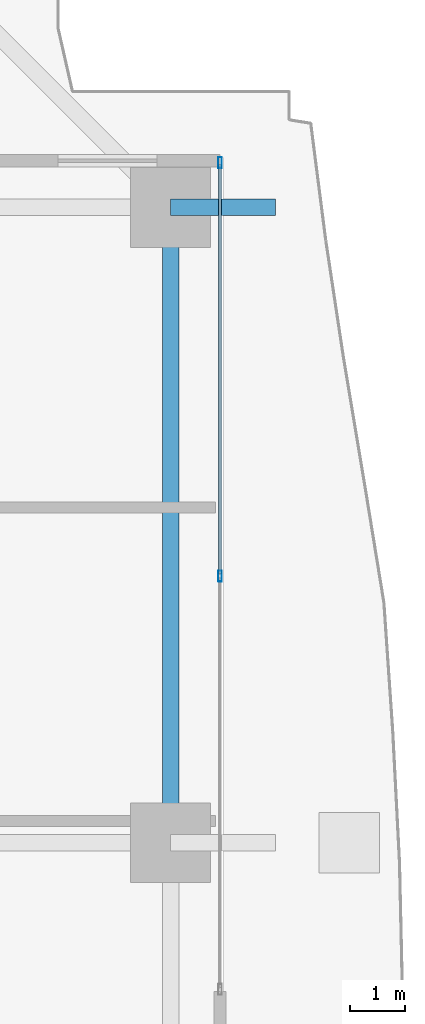
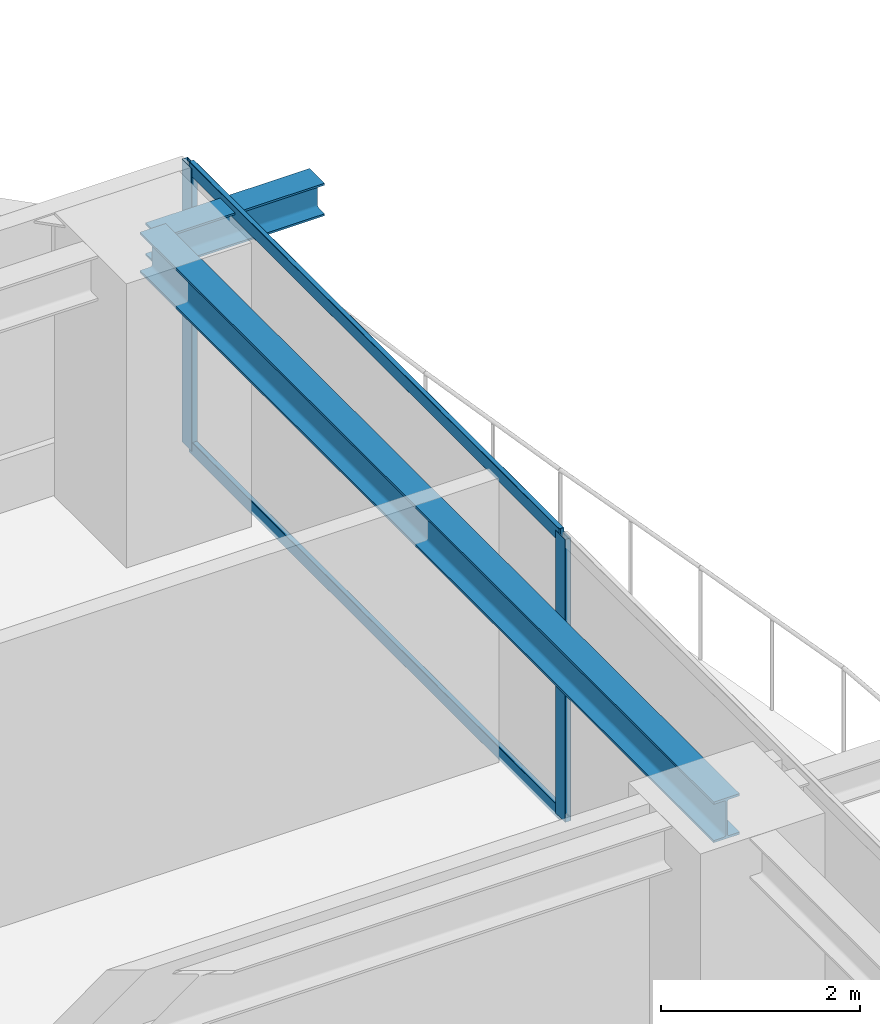
# One storey, part 23 of 38: 4 members, 2 beams, 1 element without a shape of its own.
"""IFC4 building model written with IfcOpenShell, lengths in metres."""

import ifcopenshell
import ifcopenshell.guid

model = None  # the IFC model being written
_history = None  # IfcOwnerHistory: only IFC2X3 demands one
_inside = {}  # id of a spatial element -> (the spatial element, [elements in it])
_under = {}  # id of a project, library or spatial element -> (it, [spatial elements below it])
_declared = {}  # id of a project -> (the project, [libraries it declares])
_typed = {}  # id of a type object -> (the type object, [elements of that type])
_made_of = {}  # id of a material, layer set ... -> (it, [elements and type objects made of it])


def new_model(schema):
    """Start an empty IFC model of exactly this schema.

    Asked for "IFC4X3", IfcOpenShell would pick the latest addendum, in which some entities
    have other attributes; the version numbers below select the first issue.
    IFC2X3 requires an IfcOwnerHistory on every rooted entity: one is made here for all.
    """
    global model, _history
    if schema == "IFC4X3":
        model = ifcopenshell.file(schema_version=(4, 3, 0, 0))
    else:
        model = ifcopenshell.file(schema=schema)
    _inside.clear()
    _under.clear()
    _declared.clear()
    _typed.clear()
    _made_of.clear()
    _history = None
    if model.schema == "IFC2X3":
        org = make("IfcOrganization", Name="unknown")
        user = make(
            "IfcPersonAndOrganization",
            ThePerson=make("IfcPerson", FamilyName="unknown"),
            TheOrganization=org,
        )
        app = make(
            "IfcApplication",
            ApplicationDeveloper=org,
            Version="unknown",
            ApplicationFullName="unknown",
            ApplicationIdentifier="unknown",
        )
        _history = make(
            "IfcOwnerHistory",
            OwningUser=user,
            OwningApplication=app,
            ChangeAction="ADDED",
            CreationDate=0,
        )
    return model


def make(cls, **values):
    """One entity of the class cls with the attributes given. An attribute that is None is left unset."""
    return model.create_entity(
        cls, **{name: value for name, value in values.items() if value is not None}
    )


def rooted(cls, **values):
    """An entity with a GlobalId (a new one), such as an element, a storey or a relation."""
    return make(cls, GlobalId=ifcopenshell.guid.new(), OwnerHistory=_history, **values)


def si_unit(unit_type, name, prefix=None):
    """IfcSIUnit, for example si_unit("LENGTHUNIT", "METRE", prefix="MILLI")."""
    return make("IfcSIUnit", UnitType=unit_type, Prefix=prefix, Name=name)


def assignment(units):
    """IfcUnitAssignment: the units of a project."""
    return None if units is None else make("IfcUnitAssignment", Units=units)


def point(xyz):
    """IfcCartesianPoint."""
    return None if xyz is None else make("IfcCartesianPoint", Coordinates=xyz)


def direction(xyz):
    """IfcDirection."""
    return None if xyz is None else make("IfcDirection", DirectionRatios=xyz)


def frame(location, z_axis=None, x_axis=None):
    """IfcAxis2Placement3D, a coordinate frame: its origin and axes. An axis left out is left unset."""
    return make(
        "IfcAxis2Placement3D",
        Location=point(location),
        Axis=direction(z_axis),
        RefDirection=direction(x_axis),
    )


def frame_2d(location, x_axis=None):
    """IfcAxis2Placement2D, a coordinate frame in the plane: its origin and x axis."""
    return make(
        "IfcAxis2Placement2D", Location=point(location), RefDirection=direction(x_axis)
    )


def origin():
    """The frame at (0, 0, 0) with its axes left unset."""
    return frame((0.0, 0.0, 0.0))


def origin_2d():
    """The frame at (0, 0) in the plane with its x axis left unset."""
    return frame_2d((0.0, 0.0))


def place(relative_to, where):
    """IfcLocalPlacement: puts the frame where relative to a parent placement (None: the world)."""
    return make(
        "IfcLocalPlacement", PlacementRelTo=relative_to, RelativePlacement=where
    )


def context(
    kind, dimensions, precision=None, world=None, true_north=None, identifier=None
):
    """IfcGeometricRepresentationContext, for example the 3D "Model" context."""
    return make(
        "IfcGeometricRepresentationContext",
        ContextIdentifier=identifier,
        ContextType=kind,
        CoordinateSpaceDimension=dimensions,
        Precision=precision,
        WorldCoordinateSystem=world,
        TrueNorth=true_north,
    )


def subcontext(parent, identifier, kind, view, scale=None):
    """IfcGeometricRepresentationSubContext, for example "Body" below "Model"."""
    return make(
        "IfcGeometricRepresentationSubContext",
        ContextIdentifier=identifier,
        ContextType=kind,
        ParentContext=parent,
        TargetScale=scale,
        TargetView=view,
    )


def project(units=None, contexts=None):
    """IfcProject with its units and contexts."""
    return rooted(
        "IfcProject",
        Name="project",
        RepresentationContexts=contexts,
        UnitsInContext=assignment(units),
    )


def spatial(cls, under=None, at=None, **own):
    """A site, building, storey or space (cls), placed at a placement, below another one or the project."""
    s = rooted(cls, ObjectPlacement=at, **own)
    if under is not None:
        _under.setdefault(under.id(), (under, []))[1].append(s)
    return s


def profile(cls, at=None, kind="AREA", **sizes):
    """A parametric profile (cls). Its sizes go by their IFC names, for example OverallWidth=200.0."""
    return make(cls, ProfileType=kind, Position=at, **sizes)


def hollow_rectangle(**sizes):
    """IfcRectangleHollowProfileDef."""
    return profile("IfcRectangleHollowProfileDef", **sizes)


def i_section(**sizes):
    """IfcIShapeProfileDef."""
    return profile("IfcIShapeProfileDef", **sizes)


def extrude(swept, where, along, depth):
    """IfcExtrudedAreaSolid: the profile swept, set in the frame where, extruded along a direction by depth."""
    return make(
        "IfcExtrudedAreaSolid",
        SweptArea=swept,
        Position=where,
        ExtrudedDirection=direction(along),
        Depth=depth,
    )


def shape(context_of_items, identifier, shape_type, items):
    """IfcShapeRepresentation: the items that make up one representation, for example the "Body"."""
    return make(
        "IfcShapeRepresentation",
        ContextOfItems=context_of_items,
        RepresentationIdentifier=identifier,
        RepresentationType=shape_type,
        Items=items,
    )


def source(mapping_origin, context_of_items, identifier, shape_type, items):
    """IfcRepresentationMap: a shape defined once, which mapped items show again and again."""
    return make(
        "IfcRepresentationMap",
        MappingOrigin=mapping_origin,
        MappedRepresentation=shape(context_of_items, identifier, shape_type, items),
    )


def transform(
    local_origin,
    x_axis=None,
    y_axis=None,
    z_axis=None,
    scale=None,
    scale2=None,
    scale3=None,
    uniform=True,
):
    """IfcCartesianTransformationOperator3D, or its non-uniform kind. x_axis, y_axis, z_axis: its Axis1, 2, 3."""
    if uniform:
        return make(
            "IfcCartesianTransformationOperator3D",
            Axis1=direction(x_axis),
            Axis2=direction(y_axis),
            LocalOrigin=point(local_origin),
            Scale=scale,
            Axis3=direction(z_axis),
        )
    return make(
        "IfcCartesianTransformationOperator3DnonUniform",
        Axis1=direction(x_axis),
        Axis2=direction(y_axis),
        LocalOrigin=point(local_origin),
        Scale=scale,
        Axis3=direction(z_axis),
        Scale2=scale2,
        Scale3=scale3,
    )


def mapped(mapping_source, mapping_target):
    """IfcMappedItem: shows the shape of a source again, moved by a transform."""
    return make(
        "IfcMappedItem", MappingSource=mapping_source, MappingTarget=mapping_target
    )


def material(Name=None, Category=None):
    """IfcMaterial."""
    return make("IfcMaterial", Name=Name, Category=Category)


def layer(
    of_material, thickness, ventilated=None, Name=None, Category=None, Priority=None
):
    """IfcMaterialLayer: one layer of a wall or slab, of a material (None: an air gap)."""
    return make(
        "IfcMaterialLayer",
        Material=of_material,
        LayerThickness=thickness,
        IsVentilated=ventilated,
        Name=Name,
        Category=Category,
        Priority=Priority,
    )


def layer_set(layers, Name=None):
    """IfcMaterialLayerSet."""
    return make("IfcMaterialLayerSet", MaterialLayers=layers, LayerSetName=Name)


def material_profile(
    of_material, cross_section, Name=None, Category=None, Priority=None
):
    """IfcMaterialProfile: a cross section and its material."""
    return make(
        "IfcMaterialProfile",
        Name=Name,
        Material=of_material,
        Profile=cross_section,
        Priority=Priority,
        Category=Category,
    )


def profile_set(profiles, Name=None, composite=None):
    """IfcMaterialProfileSet."""
    return make(
        "IfcMaterialProfileSet",
        Name=Name,
        MaterialProfiles=profiles,
        CompositeProfile=composite,
    )


def made_of(thing, what):
    """Note that an element or type object is made of a material, layer set ...; save() writes the relation."""
    if what is not None:
        _made_of.setdefault(what.id(), (what, []))[1].append(thing)
    return thing


def type_object(cls, material=None, **own):
    """A type object (cls), such as IfcWallType, which elements share."""
    return made_of(rooted(cls, **own), material)


def element(
    cls,
    number,
    at=None,
    inside=None,
    cuts=None,
    type_object=None,
    material=None,
    context=None,
    identifier="Body",
    shape_type=None,
    held_by="IfcProductDefinitionShape",
    body=None,
    shapes=None,
    **own,
):
    """One element of the class cls, such as IfcWall. Its Tag is "e" and its number.

    at: its placement. inside: the storey or other place that contains it. cuts: it is an
    opening in that element (IfcRelVoidsElement). A single representation is given by context,
    identifier, shape_type and body (its items); several are given by shapes. held_by: the class
    of the entity that holds the representations. save() writes the other relations.
    """
    e = rooted(cls, Tag="e%d" % number, ObjectPlacement=at, **own)
    if body is not None:
        shapes = [shape(context, identifier, shape_type, body)]
    if shapes is not None:
        e.Representation = make(held_by, Representations=shapes)
    if inside is not None:
        _inside.setdefault(inside.id(), (inside, []))[1].append(e)
    if cuts is not None:
        rooted(
            "IfcRelVoidsElement", RelatingBuildingElement=cuts, RelatedOpeningElement=e
        )
    if type_object is not None:
        _typed.setdefault(type_object.id(), (type_object, []))[1].append(e)
    return made_of(e, material)


def aggregate(whole, parts):
    """IfcRelAggregates: a whole, such as a stair, and the parts it consists of."""
    return rooted("IfcRelAggregates", RelatingObject=whole, RelatedObjects=parts)


def save(model, path):
    """Write the relations noted so far, then the file.

    IfcRelAggregates (storeys below a building ...), IfcRelContainedInSpatialStructure (elements
    in a storey), IfcRelDefinesByType, IfcRelAssociatesMaterial and IfcRelDeclares: one each for
    every whole, place, type object, material and project.
    """
    for whole, parts in _under.values():
        aggregate(whole, parts)
    for where, things in _inside.values():
        rooted(
            "IfcRelContainedInSpatialStructure",
            RelatedElements=things,
            RelatingStructure=where,
        )
    for kind, things in _typed.values():
        rooted("IfcRelDefinesByType", RelatedObjects=things, RelatingType=kind)
    for what, things in _made_of.values():
        rooted("IfcRelAssociatesMaterial", RelatedObjects=things, RelatingMaterial=what)
    for by, libraries in _declared.values():
        rooted("IfcRelDeclares", RelatingContext=by, RelatedDefinitions=libraries)
    model.write(path)


model = new_model("IFC4")

# Units and contexts
model_context = context("Model", 3, precision=1e-05, world=origin(), true_north=direction((0.0, 1.0)))
body_context = subcontext(model_context, "Body", "Model", "MODEL_VIEW")
ifc_project = project(units=[si_unit("LENGTHUNIT", "METRE"), si_unit("AREAUNIT", "SQUARE_METRE"), si_unit("VOLUMEUNIT", "CUBIC_METRE"), si_unit("PLANEANGLEUNIT", "RADIAN"), si_unit("MASSUNIT", "GRAM", prefix="KILO")], contexts=[model_context])

# Site, building, storey
site_placement = place(None, origin())
site = spatial("IfcSite", under=ifc_project, at=site_placement, CompositionType="ELEMENT")
building_placement = place(site_placement, origin())
building = spatial("IfcBuilding", under=site, at=building_placement, Name="Serunith Strait Residences", CompositionType="ELEMENT")
storey_placement = place(building_placement, frame((0.0, 0.0, 67.949951171875)))
storey = spatial("IfcBuildingStorey", under=building, at=storey_placement, Name="L16", CompositionType="ELEMENT", Elevation=67.949951171875)

# Beams
ifc_material_1 = material(Name="Steel S355J2", Category="steel")
ifc_material_profile_1 = material_profile(ifc_material_1, i_section(OverallWidth=0.300048828125, OverallDepth=0.5, WebThickness=0.014404296875, FlangeThickness=0.028076171875, FilletRadius=0.027099609375, at=origin_2d()), Name="HEB 500")
ifc_profile_set_1 = profile_set([ifc_material_profile_1], Name="Steel S355J2")
beam_type_1 = type_object("IfcBeamType", Name="BM-HEB500", PredefinedType="BEAM", material=ifc_profile_set_1)
shared_shape_1 = source(origin(), body_context, "Body", "SweptSolid", [
    extrude(i_section(OverallWidth=0.300048828125, OverallDepth=0.5, WebThickness=0.014404296875, FlangeThickness=0.028076171875, FilletRadius=0.027099609375, at=origin_2d()), origin(), (0.0, 0.0, 1.0), 11.550048828125),
])
beam_1_placement = place(storey_placement, frame((57.89990234375, 29.39990234375, 3.237060546875), z_axis=(0.0, 1.0, 0.0), x_axis=(-1.0, 0.0, 0.0)))
element("IfcBeam", 1, at=beam_1_placement, inside=storey, type_object=beam_type_1, Name="L16 Perimeter Ring Beam 07", PredefinedType="BEAM", context=body_context, shape_type="MappedRepresentation", body=[
    mapped(shared_shape_1, transform((0.0, 0.0, 0.0), scale=1.0)),
])
ifc_material_profile_2 = material_profile(ifc_material_1, i_section(OverallWidth=0.300048828125, OverallDepth=0.39990234375, WebThickness=0.013427734375, FlangeThickness=0.02392578125, FilletRadius=0.027099609375, at=origin_2d()), Name="HEB 400")
ifc_profile_set_2 = profile_set([ifc_material_profile_2], Name="Steel S355J2")
beam_type_2 = type_object("IfcBeamType", Name="BM-HEB400", PredefinedType="BEAM", material=ifc_profile_set_2)
shared_shape_2 = source(origin(), body_context, "Body", "SweptSolid", [
    extrude(i_section(OverallWidth=0.300048828125, OverallDepth=0.39990234375, WebThickness=0.013427734375, FlangeThickness=0.02392578125, FilletRadius=0.027099609375, at=origin_2d()), origin(), (0.0, 0.0, 1.0), 1.91015625),
])
beam_2_placement = place(storey_placement, frame((57.89990234375, 40.949951171875, 3.257080078125), z_axis=(1.0, 0.0, 0.0), x_axis=(0.0, 1.0, 0.0)))
element("IfcBeam", 2, at=beam_2_placement, inside=storey, type_object=beam_type_2, Name="L17 Cantilevered Balcony Rib TC-E4", PredefinedType="BEAM", context=body_context, shape_type="MappedRepresentation", body=[
    mapped(shared_shape_2, transform((0.0, 0.0, 0.0), scale=1.0)),
])

# Curtain wall, members
ifc_material_2 = material(Name="Pale-Champagne Anodised Aluminium", Category="aluminium")
ifc_layer = layer(ifc_material_2, 0.199951171875, Name="Pale-Champagne Anodised Aluminium")
ifc_layer_set = layer_set([ifc_layer], Name="Pale-Champagne Anodised Aluminium")
curtain_wall_type = type_object("IfcCurtainWallType", Name="CW-SYS1", PredefinedType="NOTDEFINED", material=ifc_layer_set)
curtain_wall_placement = place(storey_placement, origin())
curtain_wall = element("IfcCurtainWall", 3, at=curtain_wall_placement, inside=storey, type_object=curtain_wall_type, Name="L16 E Unitised Fritted Curtain Wall", PredefinedType="NOTDEFINED")
ifc_material_profile_3 = material_profile(ifc_material_2, hollow_rectangle(XDim=0.070068359375, YDim=0.199951171875, WallThickness=0.00390625, InnerFilletRadius=0.006103515625, OuterFilletRadius=0.010009765625, at=origin_2d()), Name="ALU 200x70x4")
ifc_profile_set_3 = profile_set([ifc_material_profile_3], Name="Pale-Champagne Anodised Aluminium")
member_type_1 = type_object("IfcMemberType", Name="CW-SYS1-MULL", PredefinedType="MULLION", material=ifc_profile_set_3)
shared_shape_3 = source(origin(), body_context, "Body", "SweptSolid", [
    extrude(hollow_rectangle(XDim=0.070068359375, YDim=0.199951171875, WallThickness=0.00390625, InnerFilletRadius=0.006103515625, OuterFilletRadius=0.010009765625, at=origin_2d()), origin(), (0.0, 0.0, 1.0), 3.47509765625),
])
member_1_placement = place(storey_placement, frame((58.800048828125, 34.25, 0.0), z_axis=(0.0, 0.0, 1.0), x_axis=(-1.0, 0.0, 0.0)))
member_1 = element("IfcMember", 4, at=member_1_placement, type_object=member_type_1, Name="CW-1 mullion 2", PredefinedType="MULLION", context=body_context, shape_type="MappedRepresentation", body=[
    mapped(shared_shape_3, transform((0.0, 0.0, 0.0), scale=1.0)),
])
member_2_placement = place(storey_placement, frame((58.800048828125, 41.764892578125, 0.0), z_axis=(0.0, 0.0, 1.0), x_axis=(-1.0, 0.0, 0.0)))
member_2 = element("IfcMember", 5, at=member_2_placement, type_object=member_type_1, Name="CW-1 mullion 3", PredefinedType="MULLION", context=body_context, shape_type="MappedRepresentation", body=[
    mapped(shared_shape_3, transform((0.0, 0.0, 0.0), scale=1.0)),
])
ifc_material_profile_4 = material_profile(ifc_material_2, hollow_rectangle(XDim=0.06005859375, YDim=0.159912109375, WallThickness=0.00341796875, InnerFilletRadius=0.00537109375, OuterFilletRadius=0.0087890625, at=origin_2d()), Name="ALU 160x60x3.5")
ifc_profile_set_4 = profile_set([ifc_material_profile_4], Name="Pale-Champagne Anodised Aluminium")
member_type_2 = type_object("IfcMemberType", Name="CW-SYS1-TRAN", PredefinedType="USERDEFINED", material=ifc_profile_set_4)
shared_shape_4 = source(origin(), body_context, "Body", "SweptSolid", [
    extrude(hollow_rectangle(XDim=0.06005859375, YDim=0.159912109375, WallThickness=0.00341796875, InnerFilletRadius=0.00537109375, OuterFilletRadius=0.0087890625, at=origin_2d()), origin(), (0.0, 0.0, 1.0), 7.445068359375),
])
member_3_placement = place(storey_placement, frame((58.800048828125, 34.284912109375, 0.030029296875), z_axis=(0.0, 1.0, 0.0), x_axis=(-1.0, 0.0, 0.0)))
member_3 = element("IfcMember", 6, at=member_3_placement, type_object=member_type_2, Name="CW-1 transom 2.1", ObjectType="TRANSOM", PredefinedType="USERDEFINED", context=body_context, shape_type="MappedRepresentation", body=[
    mapped(shared_shape_4, transform((0.0, 0.0, 0.0), scale=1.0)),
])
member_4_placement = place(storey_placement, frame((58.800048828125, 34.284912109375, 3.445068359375), z_axis=(0.0, 1.0, 0.0), x_axis=(-1.0, 0.0, 0.0)))
member_4 = element("IfcMember", 7, at=member_4_placement, type_object=member_type_2, Name="CW-1 transom 2.2", ObjectType="TRANSOM", PredefinedType="USERDEFINED", context=body_context, shape_type="MappedRepresentation", body=[
    mapped(shared_shape_4, transform((0.0, 0.0, 0.0), scale=1.0)),
])
aggregate(curtain_wall, [member_1, member_2, member_3, member_4])

save(model, "model.ifc")
